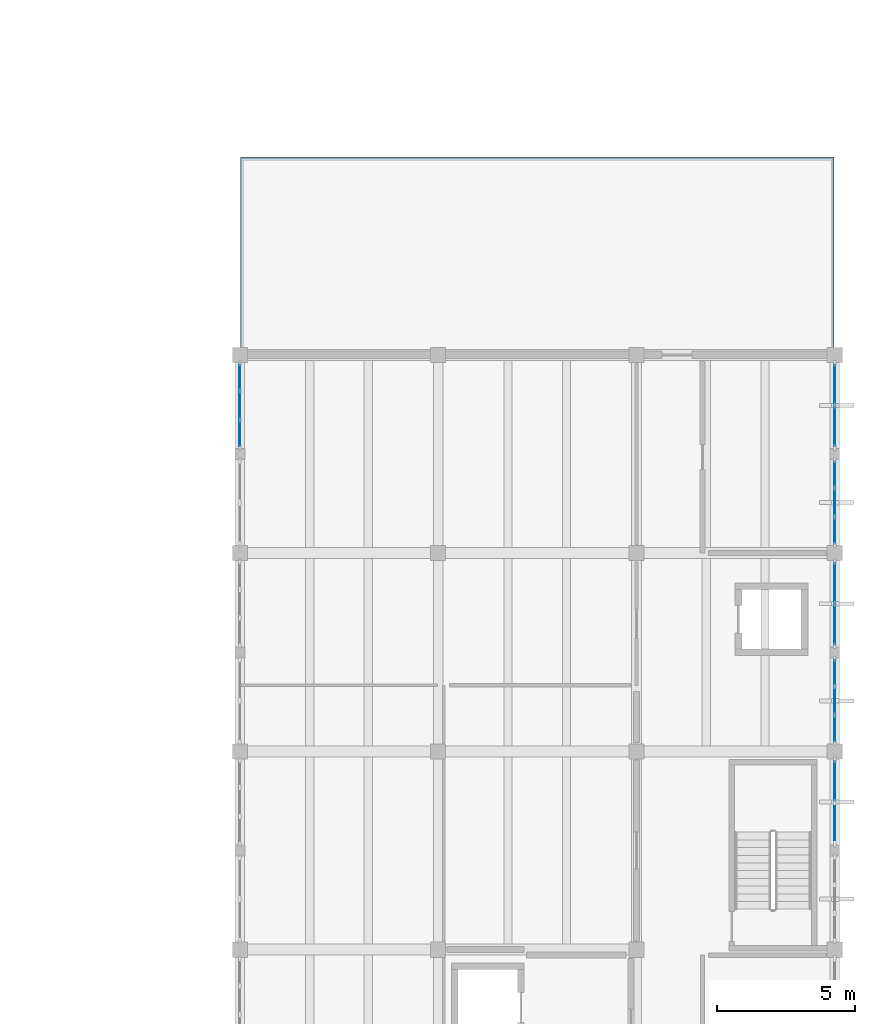
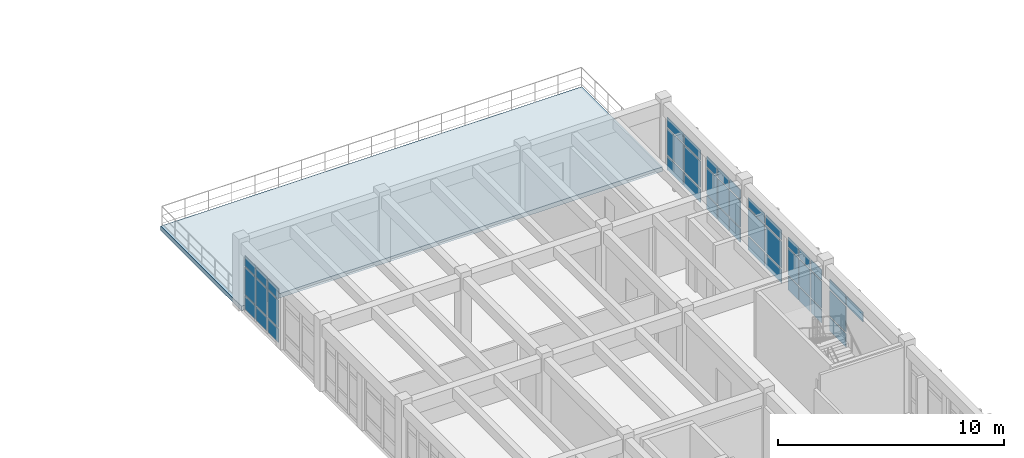
# One storey, part 14 of 22: 43 plates, 1 slab, 6 elements without a shape of their own.
"""IFC4 building model written with IfcOpenShell, lengths in metres."""

import ifcopenshell
import ifcopenshell.guid

model = None  # the IFC model being written
_history = None  # IfcOwnerHistory: only IFC2X3 demands one
_inside = {}  # id of a spatial element -> (the spatial element, [elements in it])
_under = {}  # id of a project, library or spatial element -> (it, [spatial elements below it])
_declared = {}  # id of a project -> (the project, [libraries it declares])
_typed = {}  # id of a type object -> (the type object, [elements of that type])
_made_of = {}  # id of a material, layer set ... -> (it, [elements and type objects made of it])


def new_model(schema):
    """Start an empty IFC model of exactly this schema.

    Asked for "IFC4X3", IfcOpenShell would pick the latest addendum, in which some entities
    have other attributes; the version numbers below select the first issue.
    IFC2X3 requires an IfcOwnerHistory on every rooted entity: one is made here for all.
    """
    global model, _history
    if schema == "IFC4X3":
        model = ifcopenshell.file(schema_version=(4, 3, 0, 0))
    else:
        model = ifcopenshell.file(schema=schema)
    _inside.clear()
    _under.clear()
    _declared.clear()
    _typed.clear()
    _made_of.clear()
    _history = None
    if model.schema == "IFC2X3":
        org = make("IfcOrganization", Name="unknown")
        user = make(
            "IfcPersonAndOrganization",
            ThePerson=make("IfcPerson", FamilyName="unknown"),
            TheOrganization=org,
        )
        app = make(
            "IfcApplication",
            ApplicationDeveloper=org,
            Version="unknown",
            ApplicationFullName="unknown",
            ApplicationIdentifier="unknown",
        )
        _history = make(
            "IfcOwnerHistory",
            OwningUser=user,
            OwningApplication=app,
            ChangeAction="ADDED",
            CreationDate=0,
        )
    return model


def make(cls, **values):
    """One entity of the class cls with the attributes given. An attribute that is None is left unset."""
    return model.create_entity(
        cls, **{name: value for name, value in values.items() if value is not None}
    )


def rooted(cls, **values):
    """An entity with a GlobalId (a new one), such as an element, a storey or a relation."""
    return make(cls, GlobalId=ifcopenshell.guid.new(), OwnerHistory=_history, **values)


def si_unit(unit_type, name, prefix=None):
    """IfcSIUnit, for example si_unit("LENGTHUNIT", "METRE", prefix="MILLI")."""
    return make("IfcSIUnit", UnitType=unit_type, Prefix=prefix, Name=name)


def assignment(units):
    """IfcUnitAssignment: the units of a project."""
    return None if units is None else make("IfcUnitAssignment", Units=units)


def point(xyz):
    """IfcCartesianPoint."""
    return None if xyz is None else make("IfcCartesianPoint", Coordinates=xyz)


def direction(xyz):
    """IfcDirection."""
    return None if xyz is None else make("IfcDirection", DirectionRatios=xyz)


def frame(location, z_axis=None, x_axis=None):
    """IfcAxis2Placement3D, a coordinate frame: its origin and axes. An axis left out is left unset."""
    return make(
        "IfcAxis2Placement3D",
        Location=point(location),
        Axis=direction(z_axis),
        RefDirection=direction(x_axis),
    )


def frame_2d(location, x_axis=None):
    """IfcAxis2Placement2D, a coordinate frame in the plane: its origin and x axis."""
    return make(
        "IfcAxis2Placement2D", Location=point(location), RefDirection=direction(x_axis)
    )


def origin():
    """The frame at (0, 0, 0) with its axes left unset."""
    return frame((0.0, 0.0, 0.0))


def origin_2d():
    """The frame at (0, 0) in the plane with its x axis left unset."""
    return frame_2d((0.0, 0.0))


def place(relative_to, where):
    """IfcLocalPlacement: puts the frame where relative to a parent placement (None: the world)."""
    return make(
        "IfcLocalPlacement", PlacementRelTo=relative_to, RelativePlacement=where
    )


def context(
    kind, dimensions, precision=None, world=None, true_north=None, identifier=None
):
    """IfcGeometricRepresentationContext, for example the 3D "Model" context."""
    return make(
        "IfcGeometricRepresentationContext",
        ContextIdentifier=identifier,
        ContextType=kind,
        CoordinateSpaceDimension=dimensions,
        Precision=precision,
        WorldCoordinateSystem=world,
        TrueNorth=true_north,
    )


def subcontext(parent, identifier, kind, view, scale=None):
    """IfcGeometricRepresentationSubContext, for example "Body" below "Model"."""
    return make(
        "IfcGeometricRepresentationSubContext",
        ContextIdentifier=identifier,
        ContextType=kind,
        ParentContext=parent,
        TargetScale=scale,
        TargetView=view,
    )


def project(units=None, contexts=None):
    """IfcProject with its units and contexts."""
    return rooted(
        "IfcProject",
        Name="project",
        RepresentationContexts=contexts,
        UnitsInContext=assignment(units),
    )


def spatial(cls, under=None, at=None, **own):
    """A site, building, storey or space (cls), placed at a placement, below another one or the project."""
    s = rooted(cls, ObjectPlacement=at, **own)
    if under is not None:
        _under.setdefault(under.id(), (under, []))[1].append(s)
    return s


def polyline(points):
    """IfcPolyline through the points."""
    return make("IfcPolyline", Points=[point(p) for p in points])


def profile(cls, at=None, kind="AREA", **sizes):
    """A parametric profile (cls). Its sizes go by their IFC names, for example OverallWidth=200.0."""
    return make(cls, ProfileType=kind, Position=at, **sizes)


def rectangle(**sizes):
    """IfcRectangleProfileDef."""
    return profile("IfcRectangleProfileDef", **sizes)


def outline(outer, holes=None, kind="AREA"):
    """IfcArbitraryClosedProfileDef: a profile drawn as a closed curve; with holes, ...WithVoids."""
    if holes is None:
        return make("IfcArbitraryClosedProfileDef", ProfileType=kind, OuterCurve=outer)
    return make(
        "IfcArbitraryProfileDefWithVoids",
        ProfileType=kind,
        OuterCurve=outer,
        InnerCurves=holes,
    )


def extrude(swept, where, along, depth):
    """IfcExtrudedAreaSolid: the profile swept, set in the frame where, extruded along a direction by depth."""
    return make(
        "IfcExtrudedAreaSolid",
        SweptArea=swept,
        Position=where,
        ExtrudedDirection=direction(along),
        Depth=depth,
    )


def shape(context_of_items, identifier, shape_type, items):
    """IfcShapeRepresentation: the items that make up one representation, for example the "Body"."""
    return make(
        "IfcShapeRepresentation",
        ContextOfItems=context_of_items,
        RepresentationIdentifier=identifier,
        RepresentationType=shape_type,
        Items=items,
    )


def material(Name=None, Category=None):
    """IfcMaterial."""
    return make("IfcMaterial", Name=Name, Category=Category)


def layer(
    of_material, thickness, ventilated=None, Name=None, Category=None, Priority=None
):
    """IfcMaterialLayer: one layer of a wall or slab, of a material (None: an air gap)."""
    return make(
        "IfcMaterialLayer",
        Material=of_material,
        LayerThickness=thickness,
        IsVentilated=ventilated,
        Name=Name,
        Category=Category,
        Priority=Priority,
    )


def layer_set(layers, Name=None):
    """IfcMaterialLayerSet."""
    return make("IfcMaterialLayerSet", MaterialLayers=layers, LayerSetName=Name)


def made_of(thing, what):
    """Note that an element or type object is made of a material, layer set ...; save() writes the relation."""
    if what is not None:
        _made_of.setdefault(what.id(), (what, []))[1].append(thing)
    return thing


def type_object(cls, material=None, **own):
    """A type object (cls), such as IfcWallType, which elements share."""
    return made_of(rooted(cls, **own), material)


def element(
    cls,
    number,
    at=None,
    inside=None,
    cuts=None,
    type_object=None,
    material=None,
    context=None,
    identifier="Body",
    shape_type=None,
    held_by="IfcProductDefinitionShape",
    body=None,
    shapes=None,
    **own,
):
    """One element of the class cls, such as IfcWall. Its Tag is "e" and its number.

    at: its placement. inside: the storey or other place that contains it. cuts: it is an
    opening in that element (IfcRelVoidsElement). A single representation is given by context,
    identifier, shape_type and body (its items); several are given by shapes. held_by: the class
    of the entity that holds the representations. save() writes the other relations.
    """
    e = rooted(cls, Tag="e%d" % number, ObjectPlacement=at, **own)
    if body is not None:
        shapes = [shape(context, identifier, shape_type, body)]
    if shapes is not None:
        e.Representation = make(held_by, Representations=shapes)
    if inside is not None:
        _inside.setdefault(inside.id(), (inside, []))[1].append(e)
    if cuts is not None:
        rooted(
            "IfcRelVoidsElement", RelatingBuildingElement=cuts, RelatedOpeningElement=e
        )
    if type_object is not None:
        _typed.setdefault(type_object.id(), (type_object, []))[1].append(e)
    return made_of(e, material)


def aggregate(whole, parts):
    """IfcRelAggregates: a whole, such as a stair, and the parts it consists of."""
    return rooted("IfcRelAggregates", RelatingObject=whole, RelatedObjects=parts)


def save(model, path):
    """Write the relations noted so far, then the file.

    IfcRelAggregates (storeys below a building ...), IfcRelContainedInSpatialStructure (elements
    in a storey), IfcRelDefinesByType, IfcRelAssociatesMaterial and IfcRelDeclares: one each for
    every whole, place, type object, material and project.
    """
    for whole, parts in _under.values():
        aggregate(whole, parts)
    for where, things in _inside.values():
        rooted(
            "IfcRelContainedInSpatialStructure",
            RelatedElements=things,
            RelatingStructure=where,
        )
    for kind, things in _typed.values():
        rooted("IfcRelDefinesByType", RelatedObjects=things, RelatingType=kind)
    for what, things in _made_of.values():
        rooted("IfcRelAssociatesMaterial", RelatedObjects=things, RelatingMaterial=what)
    for by, libraries in _declared.values():
        rooted("IfcRelDeclares", RelatingContext=by, RelatedDefinitions=libraries)
    model.write(path)


model = new_model("IFC4")

# Units and contexts
model_context = context("Model", 3, precision=1e-05, world=origin(), true_north=direction((0.0, 1.0)))
body_context = subcontext(model_context, "Body", "Model", "MODEL_VIEW")
ifc_project = project(units=[si_unit("LENGTHUNIT", "METRE"), si_unit("AREAUNIT", "SQUARE_METRE"), si_unit("VOLUMEUNIT", "CUBIC_METRE"), si_unit("PLANEANGLEUNIT", "RADIAN"), si_unit("MASSUNIT", "GRAM", prefix="KILO")], contexts=[model_context])

# Site, building, storey
site_placement = place(None, origin())
site = spatial("IfcSite", under=ifc_project, at=site_placement, CompositionType="ELEMENT")
building_placement = place(site_placement, origin())
building = spatial("IfcBuilding", under=site, at=building_placement, Name="Koriwan Promenade Central Fire Station", CompositionType="ELEMENT")
storey_placement = place(building_placement, frame((0.0, 0.0, 17.39990234375)))
storey = spatial("IfcBuildingStorey", under=building, at=storey_placement, Name="L04", CompositionType="ELEMENT", Elevation=17.39990234375)

# Curtain wall, plates
ifc_material_1 = material(Name="Aluminium EN AW-6063-T6 and low-E glazing", Category="aluminium")
ifc_layer_1 = layer(ifc_material_1, 0.159912109375, Name="Aluminium EN AW-6063-T6 and low-E glazing")
ifc_layer_set_1 = layer_set([ifc_layer_1], Name="Aluminium EN AW-6063-T6 and low-E glazing")
curtain_wall_type_1 = type_object("IfcCurtainWallType", Name="CurtainWall_83_312x296", PredefinedType="USERDEFINED", material=ifc_layer_set_1)
curtain_wall_1_placement = place(storey_placement, origin())
curtain_wall_1 = element("IfcCurtainWall", 1, at=curtain_wall_1_placement, inside=storey, type_object=curtain_wall_type_1, Name="V5 L04 unitised curtain wall 256", ObjectType="UNITISED CURTAIN WALL", PredefinedType="USERDEFINED")
ifc_material_2 = material(Name="Low-E laminated double glazing", Category="glass")
ifc_layer_2 = layer(ifc_material_2, 0.028076171875, Name="Low-E laminated double glazing")
ifc_layer_set_2 = layer_set([ifc_layer_2], Name="Low-E laminated double glazing")
plate_type_1 = type_object("IfcPlateType", Name="CWPanel_28", PredefinedType="CURTAIN_PANEL", material=ifc_layer_set_2)
plate_1_placement = place(storey_placement, frame((172.800048828125, 19.001220703125, 2.35009765625), z_axis=(0.0, 0.0, 1.0), x_axis=(0.0, 1.0, 0.0)))
plate_1 = element("IfcPlate", 2, at=plate_1_placement, type_object=plate_type_1, Name="CW-83 panel 1.3", PredefinedType="CURTAIN_PANEL", context=body_context, shape_type="SweptSolid", body=[
    extrude(rectangle(XDim=1.4423828125, YDim=0.028076171875, at=origin_2d()), origin(), (0.0, 0.0, 1.0), 0.530029296875),
])
plate_2_placement = place(storey_placement, frame((172.800048828125, 20.523681640625, 0.080078125), z_axis=(0.0, 0.0, 1.0), x_axis=(0.0, 1.0, 0.0)))
plate_2 = element("IfcPlate", 3, at=plate_2_placement, type_object=plate_type_1, Name="CW-83 panel 2.1", PredefinedType="CURTAIN_PANEL", context=body_context, shape_type="SweptSolid", body=[
    extrude(rectangle(XDim=1.4423828125, YDim=0.028076171875, at=origin_2d()), origin(), (0.0, 0.0, 1.0), 0.72998046875),
])
plate_3_placement = place(storey_placement, frame((172.800048828125, 20.523681640625, 0.89013671875), z_axis=(0.0, 0.0, 1.0), x_axis=(0.0, 1.0, 0.0)))
plate_3 = element("IfcPlate", 4, at=plate_3_placement, type_object=plate_type_1, Name="CW-83 panel 2.2", PredefinedType="CURTAIN_PANEL", context=body_context, shape_type="SweptSolid", body=[
    extrude(rectangle(XDim=1.4423828125, YDim=0.028076171875, at=origin_2d()), origin(), (0.0, 0.0, 1.0), 1.3798828125),
])
plate_4_placement = place(storey_placement, frame((172.800048828125, 20.523681640625, 2.35009765625), z_axis=(0.0, 0.0, 1.0), x_axis=(0.0, 1.0, 0.0)))
plate_4 = element("IfcPlate", 5, at=plate_4_placement, type_object=plate_type_1, Name="CW-83 panel 2.3", PredefinedType="CURTAIN_PANEL", context=body_context, shape_type="SweptSolid", body=[
    extrude(rectangle(XDim=1.4423828125, YDim=0.028076171875, at=origin_2d()), origin(), (0.0, 0.0, 1.0), 0.530029296875),
])
aggregate(curtain_wall_1, [plate_1, plate_2, plate_3, plate_4])

ifc_layer_3 = layer(ifc_material_1, 0.159912109375, Name="Aluminium EN AW-6063-T6 and low-E glazing")
ifc_layer_set_3 = layer_set([ifc_layer_3], Name="Aluminium EN AW-6063-T6 and low-E glazing")
curtain_wall_type_2 = type_object("IfcCurtainWallType", Name="CurtainWall_85_312x301", PredefinedType="USERDEFINED", material=ifc_layer_set_3)
curtain_wall_2_placement = place(storey_placement, origin())
curtain_wall_2 = element("IfcCurtainWall", 6, at=curtain_wall_2_placement, inside=storey, type_object=curtain_wall_type_2, Name="V5 L04 unitised curtain wall 258", ObjectType="UNITISED CURTAIN WALL", PredefinedType="USERDEFINED")
plate_5_placement = place(storey_placement, frame((172.800048828125, 26.201171875, 0.080078125), z_axis=(0.0, 0.0, 1.0), x_axis=(0.0, 1.0, 0.0)))
plate_5 = element("IfcPlate", 7, at=plate_5_placement, type_object=plate_type_1, Name="CW-85 panel 1.1", PredefinedType="CURTAIN_PANEL", context=body_context, shape_type="SweptSolid", body=[
    extrude(rectangle(XDim=1.4423828125, YDim=0.028076171875, at=origin_2d()), origin(), (0.0, 0.0, 1.0), 0.72998046875),
])
plate_6_placement = place(storey_placement, frame((172.800048828125, 26.201171875, 0.89013671875), z_axis=(0.0, 0.0, 1.0), x_axis=(0.0, 1.0, 0.0)))
plate_6 = element("IfcPlate", 8, at=plate_6_placement, type_object=plate_type_1, Name="CW-85 panel 1.2", PredefinedType="CURTAIN_PANEL", context=body_context, shape_type="SweptSolid", body=[
    extrude(rectangle(XDim=1.4423828125, YDim=0.028076171875, at=origin_2d()), origin(), (0.0, 0.0, 1.0), 1.429931640625),
])
plate_7_placement = place(storey_placement, frame((172.800048828125, 26.201171875, 2.39990234375), z_axis=(0.0, 0.0, 1.0), x_axis=(0.0, 1.0, 0.0)))
plate_7 = element("IfcPlate", 9, at=plate_7_placement, type_object=plate_type_1, Name="CW-85 panel 1.3", PredefinedType="CURTAIN_PANEL", context=body_context, shape_type="SweptSolid", body=[
    extrude(rectangle(XDim=1.4423828125, YDim=0.028076171875, at=origin_2d()), origin(), (0.0, 0.0, 1.0), 0.530029296875),
])
plate_8_placement = place(storey_placement, frame((172.800048828125, 27.7236328125, 0.080078125), z_axis=(0.0, 0.0, 1.0), x_axis=(0.0, 1.0, 0.0)))
plate_8 = element("IfcPlate", 10, at=plate_8_placement, type_object=plate_type_1, Name="CW-85 panel 2.1", PredefinedType="CURTAIN_PANEL", context=body_context, shape_type="SweptSolid", body=[
    extrude(rectangle(XDim=1.4423828125, YDim=0.028076171875, at=origin_2d()), origin(), (0.0, 0.0, 1.0), 0.72998046875),
])
plate_9_placement = place(storey_placement, frame((172.800048828125, 27.7236328125, 0.89013671875), z_axis=(0.0, 0.0, 1.0), x_axis=(0.0, 1.0, 0.0)))
plate_9 = element("IfcPlate", 11, at=plate_9_placement, type_object=plate_type_1, Name="CW-85 panel 2.2", PredefinedType="CURTAIN_PANEL", context=body_context, shape_type="SweptSolid", body=[
    extrude(rectangle(XDim=1.4423828125, YDim=0.028076171875, at=origin_2d()), origin(), (0.0, 0.0, 1.0), 1.429931640625),
])
plate_10_placement = place(storey_placement, frame((172.800048828125, 27.7236328125, 2.39990234375), z_axis=(0.0, 0.0, 1.0), x_axis=(0.0, 1.0, 0.0)))
plate_10 = element("IfcPlate", 12, at=plate_10_placement, type_object=plate_type_1, Name="CW-85 panel 2.3", PredefinedType="CURTAIN_PANEL", context=body_context, shape_type="SweptSolid", body=[
    extrude(rectangle(XDim=1.4423828125, YDim=0.028076171875, at=origin_2d()), origin(), (0.0, 0.0, 1.0), 0.530029296875),
])
aggregate(curtain_wall_2, [plate_5, plate_6, plate_7, plate_8, plate_9, plate_10])

ifc_layer_4 = layer(ifc_material_1, 0.159912109375, Name="Aluminium EN AW-6063-T6 and low-E glazing")
ifc_layer_set_4 = layer_set([ifc_layer_4], Name="Aluminium EN AW-6063-T6 and low-E glazing")
curtain_wall_type_3 = type_object("IfcCurtainWallType", Name="CurtainWall_87_312x300", PredefinedType="USERDEFINED", material=ifc_layer_set_4)
curtain_wall_3_placement = place(storey_placement, origin())
curtain_wall_3 = element("IfcCurtainWall", 13, at=curtain_wall_3_placement, inside=storey, type_object=curtain_wall_type_3, Name="V5 L04 unitised curtain wall 260", ObjectType="UNITISED CURTAIN WALL", PredefinedType="USERDEFINED")
plate_11_placement = place(storey_placement, frame((172.800048828125, 33.4013671875, 0.080078125), z_axis=(0.0, 0.0, 1.0), x_axis=(0.0, 1.0, 0.0)))
plate_11 = element("IfcPlate", 14, at=plate_11_placement, type_object=plate_type_1, Name="CW-87 panel 1.1", PredefinedType="CURTAIN_PANEL", context=body_context, shape_type="SweptSolid", body=[
    extrude(rectangle(XDim=1.4423828125, YDim=0.028076171875, at=origin_2d()), origin(), (0.0, 0.0, 1.0), 0.72998046875),
])
plate_12_placement = place(storey_placement, frame((172.800048828125, 33.4013671875, 0.89013671875), z_axis=(0.0, 0.0, 1.0), x_axis=(0.0, 1.0, 0.0)))
plate_12 = element("IfcPlate", 15, at=plate_12_placement, type_object=plate_type_1, Name="CW-87 panel 1.2", PredefinedType="CURTAIN_PANEL", context=body_context, shape_type="SweptSolid", body=[
    extrude(rectangle(XDim=1.4423828125, YDim=0.028076171875, at=origin_2d()), origin(), (0.0, 0.0, 1.0), 1.419921875),
])
plate_13_placement = place(storey_placement, frame((172.800048828125, 33.4013671875, 2.39013671875), z_axis=(0.0, 0.0, 1.0), x_axis=(0.0, 1.0, 0.0)))
plate_13 = element("IfcPlate", 16, at=plate_13_placement, type_object=plate_type_1, Name="CW-87 panel 1.3", PredefinedType="CURTAIN_PANEL", context=body_context, shape_type="SweptSolid", body=[
    extrude(rectangle(XDim=1.4423828125, YDim=0.028076171875, at=origin_2d()), origin(), (0.0, 0.0, 1.0), 0.530029296875),
])
plate_14_placement = place(storey_placement, frame((172.800048828125, 34.923828125, 0.080078125), z_axis=(0.0, 0.0, 1.0), x_axis=(0.0, 1.0, 0.0)))
plate_14 = element("IfcPlate", 17, at=plate_14_placement, type_object=plate_type_1, Name="CW-87 panel 2.1", PredefinedType="CURTAIN_PANEL", context=body_context, shape_type="SweptSolid", body=[
    extrude(rectangle(XDim=1.4423828125, YDim=0.028076171875, at=origin_2d()), origin(), (0.0, 0.0, 1.0), 0.72998046875),
])
plate_15_placement = place(storey_placement, frame((172.800048828125, 34.923828125, 0.89013671875), z_axis=(0.0, 0.0, 1.0), x_axis=(0.0, 1.0, 0.0)))
plate_15 = element("IfcPlate", 18, at=plate_15_placement, type_object=plate_type_1, Name="CW-87 panel 2.2", PredefinedType="CURTAIN_PANEL", context=body_context, shape_type="SweptSolid", body=[
    extrude(rectangle(XDim=1.4423828125, YDim=0.028076171875, at=origin_2d()), origin(), (0.0, 0.0, 1.0), 1.419921875),
])
plate_16_placement = place(storey_placement, frame((172.800048828125, 34.923828125, 2.39013671875), z_axis=(0.0, 0.0, 1.0), x_axis=(0.0, 1.0, 0.0)))
plate_16 = element("IfcPlate", 19, at=plate_16_placement, type_object=plate_type_1, Name="CW-87 panel 2.3", PredefinedType="CURTAIN_PANEL", context=body_context, shape_type="SweptSolid", body=[
    extrude(rectangle(XDim=1.4423828125, YDim=0.028076171875, at=origin_2d()), origin(), (0.0, 0.0, 1.0), 0.530029296875),
])
aggregate(curtain_wall_3, [plate_11, plate_12, plate_13, plate_14, plate_15, plate_16])

ifc_layer_5 = layer(ifc_material_1, 0.159912109375, Name="Aluminium EN AW-6063-T6 and low-E glazing")
ifc_layer_set_5 = layer_set([ifc_layer_5], Name="Aluminium EN AW-6063-T6 and low-E glazing")
curtain_wall_type_4 = type_object("IfcCurtainWallType", Name="CurtainWall_84_312x301", PredefinedType="USERDEFINED", material=ifc_layer_set_5)
curtain_wall_4_placement = place(storey_placement, origin())
curtain_wall_4 = element("IfcCurtainWall", 20, at=curtain_wall_4_placement, inside=storey, type_object=curtain_wall_type_4, Name="V5 L04 unitised curtain wall 257", ObjectType="UNITISED CURTAIN WALL", PredefinedType="USERDEFINED")
ifc_material_3 = material(Name="Solar-control low-E acoustic glazing", Category="glass")
ifc_layer_6 = layer(ifc_material_3, 0.031982421875, Name="Solar-control low-E acoustic glazing")
ifc_layer_set_6 = layer_set([ifc_layer_6], Name="Solar-control low-E acoustic glazing")
plate_type_2 = type_object("IfcPlateType", Name="CWPanel_32", PredefinedType="CURTAIN_PANEL", material=ifc_layer_set_6)
plate_17_placement = place(storey_placement, frame((172.800048828125, 22.41455078125, 0.0751953125), z_axis=(0.0, 0.0, 1.0), x_axis=(0.0, 1.0, 0.0)))
plate_17 = element("IfcPlate", 21, at=plate_17_placement, type_object=plate_type_2, Name="CW-84 panel 1.1", PredefinedType="CURTAIN_PANEL", context=body_context, shape_type="SweptSolid", body=[
    extrude(rectangle(XDim=0.92919921875, YDim=0.031982421875, at=origin_2d()), origin(), (0.0, 0.0, 1.0), 0.737548828125),
])
plate_18_placement = place(storey_placement, frame((172.800048828125, 22.41455078125, 0.887451171875), z_axis=(0.0, 0.0, 1.0), x_axis=(0.0, 1.0, 0.0)))
plate_18 = element("IfcPlate", 22, at=plate_18_placement, type_object=plate_type_2, Name="CW-84 panel 1.2", PredefinedType="CURTAIN_PANEL", context=body_context, shape_type="SweptSolid", body=[
    extrude(rectangle(XDim=0.92919921875, YDim=0.031982421875, at=origin_2d()), origin(), (0.0, 0.0, 1.0), 1.43505859375),
])
plate_19_placement = place(storey_placement, frame((172.800048828125, 22.41455078125, 2.3974609375), z_axis=(0.0, 0.0, 1.0), x_axis=(0.0, 1.0, 0.0)))
plate_19 = element("IfcPlate", 23, at=plate_19_placement, type_object=plate_type_2, Name="CW-84 panel 1.3", PredefinedType="CURTAIN_PANEL", context=body_context, shape_type="SweptSolid", body=[
    extrude(rectangle(XDim=0.92919921875, YDim=0.031982421875, at=origin_2d()), origin(), (0.0, 0.0, 1.0), 0.53759765625),
])
plate_20_placement = place(storey_placement, frame((172.800048828125, 23.4375, 0.0751953125), z_axis=(0.0, 0.0, 1.0), x_axis=(0.0, 1.0, 0.0)))
plate_20 = element("IfcPlate", 24, at=plate_20_placement, type_object=plate_type_2, Name="CW-84 panel 2.1", PredefinedType="CURTAIN_PANEL", context=body_context, shape_type="SweptSolid", body=[
    extrude(rectangle(XDim=0.966552734375, YDim=0.031982421875, at=origin_2d()), origin(), (0.0, 0.0, 1.0), 0.737548828125),
])
plate_21_placement = place(storey_placement, frame((172.800048828125, 23.4375, 0.887451171875), z_axis=(0.0, 0.0, 1.0), x_axis=(0.0, 1.0, 0.0)))
plate_21 = element("IfcPlate", 25, at=plate_21_placement, type_object=plate_type_2, Name="CW-84 panel 2.2", PredefinedType="CURTAIN_PANEL", context=body_context, shape_type="SweptSolid", body=[
    extrude(rectangle(XDim=0.966552734375, YDim=0.031982421875, at=origin_2d()), origin(), (0.0, 0.0, 1.0), 1.43505859375),
])
plate_22_placement = place(storey_placement, frame((172.800048828125, 23.4375, 2.3974609375), z_axis=(0.0, 0.0, 1.0), x_axis=(0.0, 1.0, 0.0)))
plate_22 = element("IfcPlate", 26, at=plate_22_placement, type_object=plate_type_2, Name="CW-84 panel 2.3", PredefinedType="CURTAIN_PANEL", context=body_context, shape_type="SweptSolid", body=[
    extrude(rectangle(XDim=0.966552734375, YDim=0.031982421875, at=origin_2d()), origin(), (0.0, 0.0, 1.0), 0.53759765625),
])
plate_23_placement = place(storey_placement, frame((172.800048828125, 24.46044921875, 0.0751953125), z_axis=(0.0, 0.0, 1.0), x_axis=(0.0, 1.0, 0.0)))
plate_23 = element("IfcPlate", 27, at=plate_23_placement, type_object=plate_type_2, Name="CW-84 panel 3.1", PredefinedType="CURTAIN_PANEL", context=body_context, shape_type="SweptSolid", body=[
    extrude(rectangle(XDim=0.92919921875, YDim=0.031982421875, at=origin_2d()), origin(), (0.0, 0.0, 1.0), 0.737548828125),
])
plate_24_placement = place(storey_placement, frame((172.800048828125, 24.46044921875, 0.887451171875), z_axis=(0.0, 0.0, 1.0), x_axis=(0.0, 1.0, 0.0)))
plate_24 = element("IfcPlate", 28, at=plate_24_placement, type_object=plate_type_2, Name="CW-84 panel 3.2", PredefinedType="CURTAIN_PANEL", context=body_context, shape_type="SweptSolid", body=[
    extrude(rectangle(XDim=0.92919921875, YDim=0.031982421875, at=origin_2d()), origin(), (0.0, 0.0, 1.0), 1.43505859375),
])
plate_25_placement = place(storey_placement, frame((172.800048828125, 24.46044921875, 2.3974609375), z_axis=(0.0, 0.0, 1.0), x_axis=(0.0, 1.0, 0.0)))
plate_25 = element("IfcPlate", 29, at=plate_25_placement, type_object=plate_type_2, Name="CW-84 panel 3.3", PredefinedType="CURTAIN_PANEL", context=body_context, shape_type="SweptSolid", body=[
    extrude(rectangle(XDim=0.92919921875, YDim=0.031982421875, at=origin_2d()), origin(), (0.0, 0.0, 1.0), 0.53759765625),
])
aggregate(curtain_wall_4, [plate_17, plate_18, plate_19, plate_20, plate_21, plate_22, plate_23, plate_24, plate_25])

ifc_layer_7 = layer(ifc_material_1, 0.159912109375, Name="Aluminium EN AW-6063-T6 and low-E glazing")
ifc_layer_set_7 = layer_set([ifc_layer_7], Name="Aluminium EN AW-6063-T6 and low-E glazing")
curtain_wall_type_5 = type_object("IfcCurtainWallType", Name="CurtainWall_86_313x300", PredefinedType="USERDEFINED", material=ifc_layer_set_7)
curtain_wall_5_placement = place(storey_placement, origin())
curtain_wall_5 = element("IfcCurtainWall", 30, at=curtain_wall_5_placement, inside=storey, type_object=curtain_wall_type_5, Name="V5 L04 unitised curtain wall 259", ObjectType="UNITISED CURTAIN WALL", PredefinedType="USERDEFINED")
plate_26_placement = place(storey_placement, frame((172.800048828125, 29.614501953125, 0.0751953125), z_axis=(0.0, 0.0, 1.0), x_axis=(0.0, 1.0, 0.0)))
plate_26 = element("IfcPlate", 31, at=plate_26_placement, type_object=plate_type_2, Name="CW-86 panel 1.1", PredefinedType="CURTAIN_PANEL", context=body_context, shape_type="SweptSolid", body=[
    extrude(rectangle(XDim=0.92919921875, YDim=0.031982421875, at=origin_2d()), origin(), (0.0, 0.0, 1.0), 0.737548828125),
])
plate_27_placement = place(storey_placement, frame((172.800048828125, 29.614501953125, 0.8876953125), z_axis=(0.0, 0.0, 1.0), x_axis=(0.0, 1.0, 0.0)))
plate_27 = element("IfcPlate", 32, at=plate_27_placement, type_object=plate_type_2, Name="CW-86 panel 1.2", PredefinedType="CURTAIN_PANEL", context=body_context, shape_type="SweptSolid", body=[
    extrude(rectangle(XDim=0.92919921875, YDim=0.031982421875, at=origin_2d()), origin(), (0.0, 0.0, 1.0), 1.425048828125),
])
plate_28_placement = place(storey_placement, frame((172.800048828125, 29.614501953125, 2.387451171875), z_axis=(0.0, 0.0, 1.0), x_axis=(0.0, 1.0, 0.0)))
plate_28 = element("IfcPlate", 33, at=plate_28_placement, type_object=plate_type_2, Name="CW-86 panel 1.3", PredefinedType="CURTAIN_PANEL", context=body_context, shape_type="SweptSolid", body=[
    extrude(rectangle(XDim=0.92919921875, YDim=0.031982421875, at=origin_2d()), origin(), (0.0, 0.0, 1.0), 0.53759765625),
])
plate_29_placement = place(storey_placement, frame((172.800048828125, 30.637451171875, 0.0751953125), z_axis=(0.0, 0.0, 1.0), x_axis=(0.0, 1.0, 0.0)))
plate_29 = element("IfcPlate", 34, at=plate_29_placement, type_object=plate_type_2, Name="CW-86 panel 2.1", PredefinedType="CURTAIN_PANEL", context=body_context, shape_type="SweptSolid", body=[
    extrude(rectangle(XDim=0.966552734375, YDim=0.031982421875, at=origin_2d()), origin(), (0.0, 0.0, 1.0), 0.737548828125),
])
plate_30_placement = place(storey_placement, frame((172.800048828125, 30.637451171875, 0.8876953125), z_axis=(0.0, 0.0, 1.0), x_axis=(0.0, 1.0, 0.0)))
plate_30 = element("IfcPlate", 35, at=plate_30_placement, type_object=plate_type_2, Name="CW-86 panel 2.2", PredefinedType="CURTAIN_PANEL", context=body_context, shape_type="SweptSolid", body=[
    extrude(rectangle(XDim=0.966552734375, YDim=0.031982421875, at=origin_2d()), origin(), (0.0, 0.0, 1.0), 1.425048828125),
])
plate_31_placement = place(storey_placement, frame((172.800048828125, 30.637451171875, 2.387451171875), z_axis=(0.0, 0.0, 1.0), x_axis=(0.0, 1.0, 0.0)))
plate_31 = element("IfcPlate", 36, at=plate_31_placement, type_object=plate_type_2, Name="CW-86 panel 2.3", PredefinedType="CURTAIN_PANEL", context=body_context, shape_type="SweptSolid", body=[
    extrude(rectangle(XDim=0.966552734375, YDim=0.031982421875, at=origin_2d()), origin(), (0.0, 0.0, 1.0), 0.53759765625),
])
plate_32_placement = place(storey_placement, frame((172.800048828125, 31.660400390625, 0.0751953125), z_axis=(0.0, 0.0, 1.0), x_axis=(0.0, 1.0, 0.0)))
plate_32 = element("IfcPlate", 37, at=plate_32_placement, type_object=plate_type_2, Name="CW-86 panel 3.1", PredefinedType="CURTAIN_PANEL", context=body_context, shape_type="SweptSolid", body=[
    extrude(rectangle(XDim=0.92919921875, YDim=0.031982421875, at=origin_2d()), origin(), (0.0, 0.0, 1.0), 0.737548828125),
])
plate_33_placement = place(storey_placement, frame((172.800048828125, 31.660400390625, 0.8876953125), z_axis=(0.0, 0.0, 1.0), x_axis=(0.0, 1.0, 0.0)))
plate_33 = element("IfcPlate", 38, at=plate_33_placement, type_object=plate_type_2, Name="CW-86 panel 3.2", PredefinedType="CURTAIN_PANEL", context=body_context, shape_type="SweptSolid", body=[
    extrude(rectangle(XDim=0.92919921875, YDim=0.031982421875, at=origin_2d()), origin(), (0.0, 0.0, 1.0), 1.425048828125),
])
plate_34_placement = place(storey_placement, frame((172.800048828125, 31.660400390625, 2.387451171875), z_axis=(0.0, 0.0, 1.0), x_axis=(0.0, 1.0, 0.0)))
plate_34 = element("IfcPlate", 39, at=plate_34_placement, type_object=plate_type_2, Name="CW-86 panel 3.3", PredefinedType="CURTAIN_PANEL", context=body_context, shape_type="SweptSolid", body=[
    extrude(rectangle(XDim=0.92919921875, YDim=0.031982421875, at=origin_2d()), origin(), (0.0, 0.0, 1.0), 0.53759765625),
])
aggregate(curtain_wall_5, [plate_26, plate_27, plate_28, plate_29, plate_30, plate_31, plate_32, plate_33, plate_34])

ifc_layer_8 = layer(ifc_material_1, 0.159912109375, Name="Aluminium EN AW-6063-T6 and low-E glazing")
ifc_layer_set_8 = layer_set([ifc_layer_8], Name="Aluminium EN AW-6063-T6 and low-E glazing")
curtain_wall_type_6 = type_object("IfcCurtainWallType", Name="CurtainWall_88_312x305", PredefinedType="USERDEFINED", material=ifc_layer_set_8)
curtain_wall_6_placement = place(storey_placement, origin())
curtain_wall_6 = element("IfcCurtainWall", 40, at=curtain_wall_6_placement, inside=storey, type_object=curtain_wall_type_6, Name="V5 L04 unitised curtain wall 261", ObjectType="UNITISED CURTAIN WALL", PredefinedType="USERDEFINED")
plate_35_placement = place(storey_placement, frame((151.199951171875, 35.185302734375, 0.0751953125), z_axis=(0.0, 0.0, 1.0), x_axis=(0.0, -1.0, 0.0)))
plate_35 = element("IfcPlate", 41, at=plate_35_placement, type_object=plate_type_2, Name="CW-88 panel 1.1", PredefinedType="CURTAIN_PANEL", context=body_context, shape_type="SweptSolid", body=[
    extrude(rectangle(XDim=0.92919921875, YDim=0.031982421875, at=origin_2d()), origin(), (0.0, 0.0, 1.0), 0.737548828125),
])
plate_36_placement = place(storey_placement, frame((151.199951171875, 35.185302734375, 0.887451171875), z_axis=(0.0, 0.0, 1.0), x_axis=(0.0, -1.0, 0.0)))
plate_36 = element("IfcPlate", 42, at=plate_36_placement, type_object=plate_type_2, Name="CW-88 panel 1.2", PredefinedType="CURTAIN_PANEL", context=body_context, shape_type="SweptSolid", body=[
    extrude(rectangle(XDim=0.92919921875, YDim=0.031982421875, at=origin_2d()), origin(), (0.0, 0.0, 1.0), 1.47509765625),
])
plate_37_placement = place(storey_placement, frame((151.199951171875, 35.185302734375, 2.4375), z_axis=(0.0, 0.0, 1.0), x_axis=(0.0, -1.0, 0.0)))
plate_37 = element("IfcPlate", 43, at=plate_37_placement, type_object=plate_type_2, Name="CW-88 panel 1.3", PredefinedType="CURTAIN_PANEL", context=body_context, shape_type="SweptSolid", body=[
    extrude(rectangle(XDim=0.92919921875, YDim=0.031982421875, at=origin_2d()), origin(), (0.0, 0.0, 1.0), 0.53759765625),
])
plate_38_placement = place(storey_placement, frame((151.199951171875, 34.16259765625, 0.0751953125), z_axis=(0.0, 0.0, 1.0), x_axis=(0.0, -1.0, 0.0)))
plate_38 = element("IfcPlate", 44, at=plate_38_placement, type_object=plate_type_2, Name="CW-88 panel 2.1", PredefinedType="CURTAIN_PANEL", context=body_context, shape_type="SweptSolid", body=[
    extrude(rectangle(XDim=0.966552734375, YDim=0.031982421875, at=origin_2d()), origin(), (0.0, 0.0, 1.0), 0.737548828125),
])
plate_39_placement = place(storey_placement, frame((151.199951171875, 34.16259765625, 0.887451171875), z_axis=(0.0, 0.0, 1.0), x_axis=(0.0, -1.0, 0.0)))
plate_39 = element("IfcPlate", 45, at=plate_39_placement, type_object=plate_type_2, Name="CW-88 panel 2.2", PredefinedType="CURTAIN_PANEL", context=body_context, shape_type="SweptSolid", body=[
    extrude(rectangle(XDim=0.966552734375, YDim=0.031982421875, at=origin_2d()), origin(), (0.0, 0.0, 1.0), 1.47509765625),
])
plate_40_placement = place(storey_placement, frame((151.199951171875, 34.16259765625, 2.4375), z_axis=(0.0, 0.0, 1.0), x_axis=(0.0, -1.0, 0.0)))
plate_40 = element("IfcPlate", 46, at=plate_40_placement, type_object=plate_type_2, Name="CW-88 panel 2.3", PredefinedType="CURTAIN_PANEL", context=body_context, shape_type="SweptSolid", body=[
    extrude(rectangle(XDim=0.966552734375, YDim=0.031982421875, at=origin_2d()), origin(), (0.0, 0.0, 1.0), 0.53759765625),
])
plate_41_placement = place(storey_placement, frame((151.199951171875, 33.1396484375, 0.0751953125), z_axis=(0.0, 0.0, 1.0), x_axis=(0.0, -1.0, 0.0)))
plate_41 = element("IfcPlate", 47, at=plate_41_placement, type_object=plate_type_2, Name="CW-88 panel 3.1", PredefinedType="CURTAIN_PANEL", context=body_context, shape_type="SweptSolid", body=[
    extrude(rectangle(XDim=0.92919921875, YDim=0.031982421875, at=origin_2d()), origin(), (0.0, 0.0, 1.0), 0.737548828125),
])
plate_42_placement = place(storey_placement, frame((151.199951171875, 33.1396484375, 0.887451171875), z_axis=(0.0, 0.0, 1.0), x_axis=(0.0, -1.0, 0.0)))
plate_42 = element("IfcPlate", 48, at=plate_42_placement, type_object=plate_type_2, Name="CW-88 panel 3.2", PredefinedType="CURTAIN_PANEL", context=body_context, shape_type="SweptSolid", body=[
    extrude(rectangle(XDim=0.92919921875, YDim=0.031982421875, at=origin_2d()), origin(), (0.0, 0.0, 1.0), 1.47509765625),
])
plate_43_placement = place(storey_placement, frame((151.199951171875, 33.1396484375, 2.4375), z_axis=(0.0, 0.0, 1.0), x_axis=(0.0, -1.0, 0.0)))
plate_43 = element("IfcPlate", 49, at=plate_43_placement, type_object=plate_type_2, Name="CW-88 panel 3.3", PredefinedType="CURTAIN_PANEL", context=body_context, shape_type="SweptSolid", body=[
    extrude(rectangle(XDim=0.92919921875, YDim=0.031982421875, at=origin_2d()), origin(), (0.0, 0.0, 1.0), 0.53759765625),
])
aggregate(curtain_wall_6, [plate_35, plate_36, plate_37, plate_38, plate_39, plate_40, plate_41, plate_42, plate_43])

# Slab
ifc_material_4 = material(Name="Concrete C35/45", Category="concrete")
ifc_layer_9 = layer(ifc_material_4, 0.239990234375, Name="Concrete C35/45")
ifc_layer_set_9 = layer_set([ifc_layer_9], Name="Concrete C35/45")
slab_type = type_object("IfcSlabType", Name="TerraceSlab_240", PredefinedType="FLOOR", material=ifc_layer_set_9)
slab_placement = place(storey_placement, frame((0.0, 0.0, -0.239990234375)))
element("IfcSlab", 50, at=slab_placement, inside=storey, type_object=slab_type, Name="Control Wing Roof Terrace (L04)", PredefinedType="FLOOR", context=body_context, shape_type="SweptSolid", body=[
    extrude(outline(polyline([(172.780029296875, 36.02001953125), (151.219970703125, 36.02001953125), (151.219970703125, 43.179931640625), (172.780029296875, 43.179931640625), (172.780029296875, 36.02001953125)])), origin(), (0.0, 0.0, 1.0), 0.239990234375),
])

save(model, "model.ifc")
